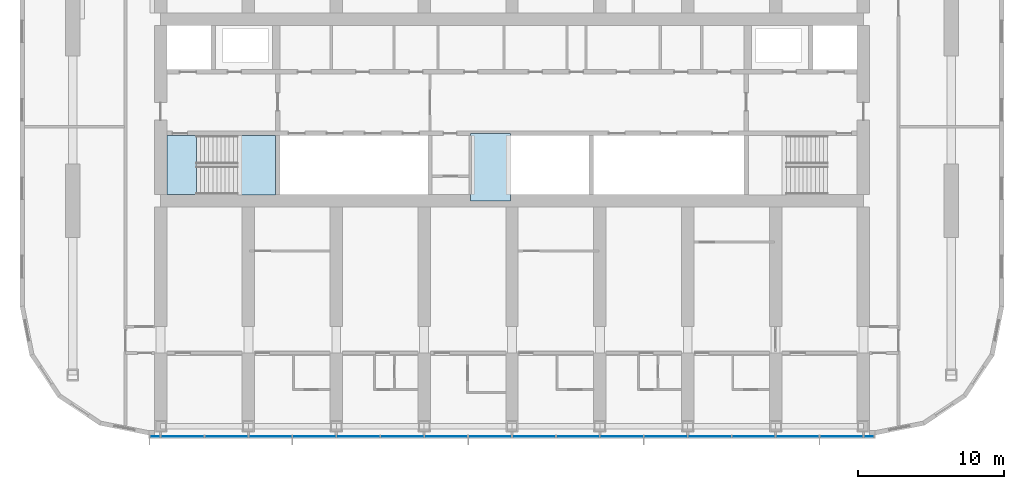
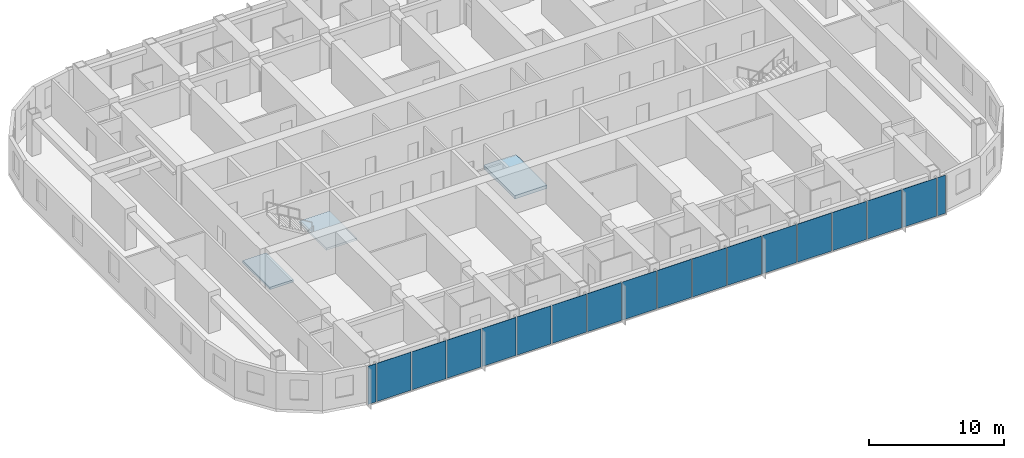
# One storey, part 7 of 22: 18 plates, 3 slabs, 2 elements without a shape of their own.
"""IFC4 building model written with IfcOpenShell, lengths in metres."""

from ifc_helpers import new_model, si_unit, direction, frame, origin, origin_2d, place, context, subcontext, project, spatial, polyline, rectangle, outline, extrude, material, layer, layer_set, type_object, element, aggregate, save


model = new_model("IFC4")

# Units and contexts
model_context = context("Model", 3, precision=1e-05, world=origin(), true_north=direction((0.0, 1.0)))
body_context = subcontext(model_context, "Body", "Model", "MODEL_VIEW")
ifc_project = project(units=[si_unit("LENGTHUNIT", "METRE"), si_unit("AREAUNIT", "SQUARE_METRE"), si_unit("VOLUMEUNIT", "CUBIC_METRE"), si_unit("PLANEANGLEUNIT", "RADIAN"), si_unit("MASSUNIT", "GRAM", prefix="KILO")], contexts=[model_context])

# Site, building, storey
site_placement = place(None, origin())
site = spatial("IfcSite", under=ifc_project, at=site_placement, CompositionType="ELEMENT")
building_placement = place(site_placement, origin())
building = spatial("IfcBuilding", under=site, at=building_placement, Name="Orbita Commons", CompositionType="ELEMENT")
storey_placement = place(building_placement, frame((0.0, 0.0, 144.85009765625)))
storey = spatial("IfcBuildingStorey", under=building, at=storey_placement, Name="L35", CompositionType="ELEMENT", Elevation=144.85009765625)

# Curtain wall, plates
ifc_material_1 = material(Name="Anodised aluminium frame, pale silver", Category="aluminium")
curtain_wall_type = type_object("IfcCurtainWallType", Name="Unitised curtain wall CW-U, full-height vision", PredefinedType="NOTDEFINED", material=ifc_material_1)
curtain_wall_placement = place(storey_placement, origin())
curtain_wall = element("IfcCurtainWall", 1, at=curtain_wall_placement, inside=storey, type_object=curtain_wall_type, Name="Curtain wall south L35", PredefinedType="NOTDEFINED")
ifc_material_2 = material(Name="Clear double glazing", Category="glass")
ifc_layer_1 = layer(ifc_material_2, 0.031982421875)
ifc_layer_set_1 = layer_set([ifc_layer_1], Name="Clear double glazing")
plate_type = type_object("IfcPlateType", Name="Full-height vision panel, clear glazing 32", PredefinedType="CURTAIN_PANEL", material=ifc_layer_set_1)
plate_1_placement = place(storey_placement, frame((17.6201171875, 9.68994140625, -0.14990234375), z_axis=(0.0, 0.0, 1.0), x_axis=(1.0, 0.0, 0.0)))
plate_1 = element("IfcPlate", 2, at=plate_1_placement, type_object=plate_type, Name="Panel 1.1 CW-L35-S", PredefinedType="CURTAIN_PANEL", context=body_context, shape_type="SweptSolid", body=[
    extrude(rectangle(XDim=0.679931640625, YDim=0.031982421875, at=origin_2d()), origin(), (0.0, 0.0, 1.0), 3.449951171875),
])
plate_2_placement = place(storey_placement, frame((19.5, 9.68994140625, -0.14990234375), z_axis=(0.0, 0.0, 1.0), x_axis=(1.0, 0.0, 0.0)))
plate_2 = element("IfcPlate", 3, at=plate_2_placement, type_object=plate_type, Name="Panel 2.1 CW-L35-S", PredefinedType="CURTAIN_PANEL", context=body_context, shape_type="SweptSolid", body=[
    extrude(rectangle(XDim=2.919921875, YDim=0.031982421875, at=origin_2d()), origin(), (0.0, 0.0, 1.0), 3.449951171875),
])
plate_3_placement = place(storey_placement, frame((22.5, 9.68994140625, -0.14990234375), z_axis=(0.0, 0.0, 1.0), x_axis=(1.0, 0.0, 0.0)))
plate_3 = element("IfcPlate", 4, at=plate_3_placement, type_object=plate_type, Name="Panel 3.1 CW-L35-S", PredefinedType="CURTAIN_PANEL", context=body_context, shape_type="SweptSolid", body=[
    extrude(rectangle(XDim=2.919921875, YDim=0.031982421875, at=origin_2d()), origin(), (0.0, 0.0, 1.0), 3.449951171875),
])
plate_4_placement = place(storey_placement, frame((25.5, 9.68994140625, -0.14990234375), z_axis=(0.0, 0.0, 1.0), x_axis=(1.0, 0.0, 0.0)))
plate_4 = element("IfcPlate", 5, at=plate_4_placement, type_object=plate_type, Name="Panel 4.1 CW-L35-S", PredefinedType="CURTAIN_PANEL", context=body_context, shape_type="SweptSolid", body=[
    extrude(rectangle(XDim=2.919921875, YDim=0.031982421875, at=origin_2d()), origin(), (0.0, 0.0, 1.0), 3.449951171875),
])
plate_5_placement = place(storey_placement, frame((28.5, 9.68994140625, -0.14990234375), z_axis=(0.0, 0.0, 1.0), x_axis=(1.0, 0.0, 0.0)))
plate_5 = element("IfcPlate", 6, at=plate_5_placement, type_object=plate_type, Name="Panel 5.1 CW-L35-S", PredefinedType="CURTAIN_PANEL", context=body_context, shape_type="SweptSolid", body=[
    extrude(rectangle(XDim=2.919921875, YDim=0.031982421875, at=origin_2d()), origin(), (0.0, 0.0, 1.0), 3.449951171875),
])
plate_6_placement = place(storey_placement, frame((31.5, 9.68994140625, -0.14990234375), z_axis=(0.0, 0.0, 1.0), x_axis=(1.0, 0.0, 0.0)))
plate_6 = element("IfcPlate", 7, at=plate_6_placement, type_object=plate_type, Name="Panel 6.1 CW-L35-S", PredefinedType="CURTAIN_PANEL", context=body_context, shape_type="SweptSolid", body=[
    extrude(rectangle(XDim=2.919921875, YDim=0.031982421875, at=origin_2d()), origin(), (0.0, 0.0, 1.0), 3.449951171875),
])
plate_7_placement = place(storey_placement, frame((34.5, 9.68994140625, -0.14990234375), z_axis=(0.0, 0.0, 1.0), x_axis=(1.0, 0.0, 0.0)))
plate_7 = element("IfcPlate", 8, at=plate_7_placement, type_object=plate_type, Name="Panel 7.1 CW-L35-S", PredefinedType="CURTAIN_PANEL", context=body_context, shape_type="SweptSolid", body=[
    extrude(rectangle(XDim=2.919921875, YDim=0.031982421875, at=origin_2d()), origin(), (0.0, 0.0, 1.0), 3.449951171875),
])
plate_8_placement = place(storey_placement, frame((37.5, 9.68994140625, -0.14990234375), z_axis=(0.0, 0.0, 1.0), x_axis=(1.0, 0.0, 0.0)))
plate_8 = element("IfcPlate", 9, at=plate_8_placement, type_object=plate_type, Name="Panel 8.1 CW-L35-S", PredefinedType="CURTAIN_PANEL", context=body_context, shape_type="SweptSolid", body=[
    extrude(rectangle(XDim=2.919921875, YDim=0.031982421875, at=origin_2d()), origin(), (0.0, 0.0, 1.0), 3.449951171875),
])
plate_9_placement = place(storey_placement, frame((40.5, 9.68994140625, -0.14990234375), z_axis=(0.0, 0.0, 1.0), x_axis=(1.0, 0.0, 0.0)))
plate_9 = element("IfcPlate", 10, at=plate_9_placement, type_object=plate_type, Name="Panel 9.1 CW-L35-S", PredefinedType="CURTAIN_PANEL", context=body_context, shape_type="SweptSolid", body=[
    extrude(rectangle(XDim=2.919921875, YDim=0.031982421875, at=origin_2d()), origin(), (0.0, 0.0, 1.0), 3.449951171875),
])
plate_10_placement = place(storey_placement, frame((43.5, 9.68994140625, -0.14990234375), z_axis=(0.0, 0.0, 1.0), x_axis=(1.0, 0.0, 0.0)))
plate_10 = element("IfcPlate", 11, at=plate_10_placement, type_object=plate_type, Name="Panel 10.1 CW-L35-S", PredefinedType="CURTAIN_PANEL", context=body_context, shape_type="SweptSolid", body=[
    extrude(rectangle(XDim=2.919921875, YDim=0.031982421875, at=origin_2d()), origin(), (0.0, 0.0, 1.0), 3.449951171875),
])
plate_11_placement = place(storey_placement, frame((46.5, 9.68994140625, -0.14990234375), z_axis=(0.0, 0.0, 1.0), x_axis=(1.0, 0.0, 0.0)))
plate_11 = element("IfcPlate", 12, at=plate_11_placement, type_object=plate_type, Name="Panel 11.1 CW-L35-S", PredefinedType="CURTAIN_PANEL", context=body_context, shape_type="SweptSolid", body=[
    extrude(rectangle(XDim=2.919921875, YDim=0.031982421875, at=origin_2d()), origin(), (0.0, 0.0, 1.0), 3.449951171875),
])
plate_12_placement = place(storey_placement, frame((49.5, 9.68994140625, -0.14990234375), z_axis=(0.0, 0.0, 1.0), x_axis=(1.0, 0.0, 0.0)))
plate_12 = element("IfcPlate", 13, at=plate_12_placement, type_object=plate_type, Name="Panel 12.1 CW-L35-S", PredefinedType="CURTAIN_PANEL", context=body_context, shape_type="SweptSolid", body=[
    extrude(rectangle(XDim=2.919921875, YDim=0.031982421875, at=origin_2d()), origin(), (0.0, 0.0, 1.0), 3.449951171875),
])
plate_13_placement = place(storey_placement, frame((52.5, 9.68994140625, -0.14990234375), z_axis=(0.0, 0.0, 1.0), x_axis=(1.0, 0.0, 0.0)))
plate_13 = element("IfcPlate", 14, at=plate_13_placement, type_object=plate_type, Name="Panel 13.1 CW-L35-S", PredefinedType="CURTAIN_PANEL", context=body_context, shape_type="SweptSolid", body=[
    extrude(rectangle(XDim=2.919921875, YDim=0.031982421875, at=origin_2d()), origin(), (0.0, 0.0, 1.0), 3.449951171875),
])
plate_14_placement = place(storey_placement, frame((55.5, 9.68994140625, -0.14990234375), z_axis=(0.0, 0.0, 1.0), x_axis=(1.0, 0.0, 0.0)))
plate_14 = element("IfcPlate", 15, at=plate_14_placement, type_object=plate_type, Name="Panel 14.1 CW-L35-S", PredefinedType="CURTAIN_PANEL", context=body_context, shape_type="SweptSolid", body=[
    extrude(rectangle(XDim=2.919921875, YDim=0.031982421875, at=origin_2d()), origin(), (0.0, 0.0, 1.0), 3.449951171875),
])
plate_15_placement = place(storey_placement, frame((58.5, 9.68994140625, -0.14990234375), z_axis=(0.0, 0.0, 1.0), x_axis=(1.0, 0.0, 0.0)))
plate_15 = element("IfcPlate", 16, at=plate_15_placement, type_object=plate_type, Name="Panel 15.1 CW-L35-S", PredefinedType="CURTAIN_PANEL", context=body_context, shape_type="SweptSolid", body=[
    extrude(rectangle(XDim=2.919921875, YDim=0.031982421875, at=origin_2d()), origin(), (0.0, 0.0, 1.0), 3.449951171875),
])
plate_16_placement = place(storey_placement, frame((61.5, 9.68994140625, -0.14990234375), z_axis=(0.0, 0.0, 1.0), x_axis=(1.0, 0.0, 0.0)))
plate_16 = element("IfcPlate", 17, at=plate_16_placement, type_object=plate_type, Name="Panel 16.1 CW-L35-S", PredefinedType="CURTAIN_PANEL", context=body_context, shape_type="SweptSolid", body=[
    extrude(rectangle(XDim=2.919921875, YDim=0.031982421875, at=origin_2d()), origin(), (0.0, 0.0, 1.0), 3.449951171875),
])
plate_17_placement = place(storey_placement, frame((64.5, 9.68994140625, -0.14990234375), z_axis=(0.0, 0.0, 1.0), x_axis=(1.0, 0.0, 0.0)))
plate_17 = element("IfcPlate", 18, at=plate_17_placement, type_object=plate_type, Name="Panel 17.1 CW-L35-S", PredefinedType="CURTAIN_PANEL", context=body_context, shape_type="SweptSolid", body=[
    extrude(rectangle(XDim=2.919921875, YDim=0.031982421875, at=origin_2d()), origin(), (0.0, 0.0, 1.0), 3.449951171875),
])
plate_18_placement = place(storey_placement, frame((66.3798828125, 9.68994140625, -0.14990234375), z_axis=(0.0, 0.0, 1.0), x_axis=(1.0, 0.0, 0.0)))
plate_18 = element("IfcPlate", 19, at=plate_18_placement, type_object=plate_type, Name="Panel 18.1 CW-L35-S", PredefinedType="CURTAIN_PANEL", context=body_context, shape_type="SweptSolid", body=[
    extrude(rectangle(XDim=0.679931640625, YDim=0.031982421875, at=origin_2d()), origin(), (0.0, 0.0, 1.0), 3.449951171875),
])
aggregate(curtain_wall, [plate_1, plate_2, plate_3, plate_4, plate_5, plate_6, plate_7, plate_8, plate_9, plate_10, plate_11, plate_12, plate_13, plate_14, plate_15, plate_16, plate_17, plate_18])

# Slab
ifc_material_3 = material(Name="Concrete C40/50", Category="concrete")
ifc_layer_2 = layer(ifc_material_3, 0.300048828125)
ifc_layer_set_2 = layer_set([ifc_layer_2], Name="Concrete C40/50")
slab_type_1 = type_object("IfcSlabType", Name="Lift overrun roof 300", PredefinedType="ROOF", material=ifc_layer_set_2)
slab_1_placement = place(storey_placement, frame((0.0, 0.0, 1.0)))
element("IfcSlab", 20, at=slab_1_placement, inside=storey, type_object=slab_type_1, Name="Lift overrun roof bank SH2", PredefinedType="ROOF", context=body_context, shape_type="SweptSolid", body=[
    extrude(outline(polyline([(39.14990234375, 25.800048828125), (41.89990234375, 25.800048828125), (41.89990234375, 30.39990234375), (39.14990234375, 30.39990234375), (39.14990234375, 25.800048828125)])), origin(), (0.0, 0.0, 1.0), 0.2998046875),
])

# Stair, slabs
ifc_material_4 = material(Name="Precast concrete C40/50", Category="concrete")
stair_type = type_object("IfcStairType", Name="Exit stair S1 2 flights 11 risers 170", PredefinedType="HALF_TURN_STAIR", material=ifc_material_4)
stair_placement = place(storey_placement, origin())
stair = element("IfcStair", 21, at=stair_placement, inside=storey, type_object=stair_type, Name="Exit stair S1 L35", PredefinedType="HALF_TURN_STAIR")
ifc_material_5 = material(Name="Concrete C40/50", Category="concrete")
ifc_layer_3 = layer(ifc_material_5, 0.199951171875)
ifc_layer_set_3 = layer_set([ifc_layer_3], Name="Concrete C40/50")
slab_type_2 = type_object("IfcSlabType", Name="Stair landing 200", PredefinedType="LANDING", material=ifc_layer_set_3)
slab_2_placement = place(storey_placement, frame((0.0, 0.0, -0.2001953125)))
slab_2 = element("IfcSlab", 22, at=slab_2_placement, type_object=slab_type_2, Name="S1 landing 1", PredefinedType="LANDING", context=body_context, shape_type="SweptSolid", body=[
    extrude(outline(polyline([(18.425048828125, 26.22509765625), (20.449951171875, 26.22509765625), (20.449951171875, 30.25), (18.425048828125, 30.25), (18.425048828125, 26.22509765625)])), origin(), (0.0, 0.0, 1.0), 0.2001953125),
])
slab_3_placement = place(storey_placement, frame((0.0, 0.0, 1.6748046875)))
slab_3 = element("IfcSlab", 23, at=slab_3_placement, type_object=slab_type_2, Name="S1 landing 2", PredefinedType="LANDING", context=body_context, shape_type="SweptSolid", body=[
    extrude(outline(polyline([(23.25, 26.2099609375), (25.864990234375, 26.2099609375), (25.864990234375, 30.264892578125), (23.25, 30.264892578125), (23.25, 26.2099609375)])), origin(), (0.0, 0.0, 1.0), 0.2001953125),
])
aggregate(stair, [slab_2, slab_3])

save(model, "model.ifc")
